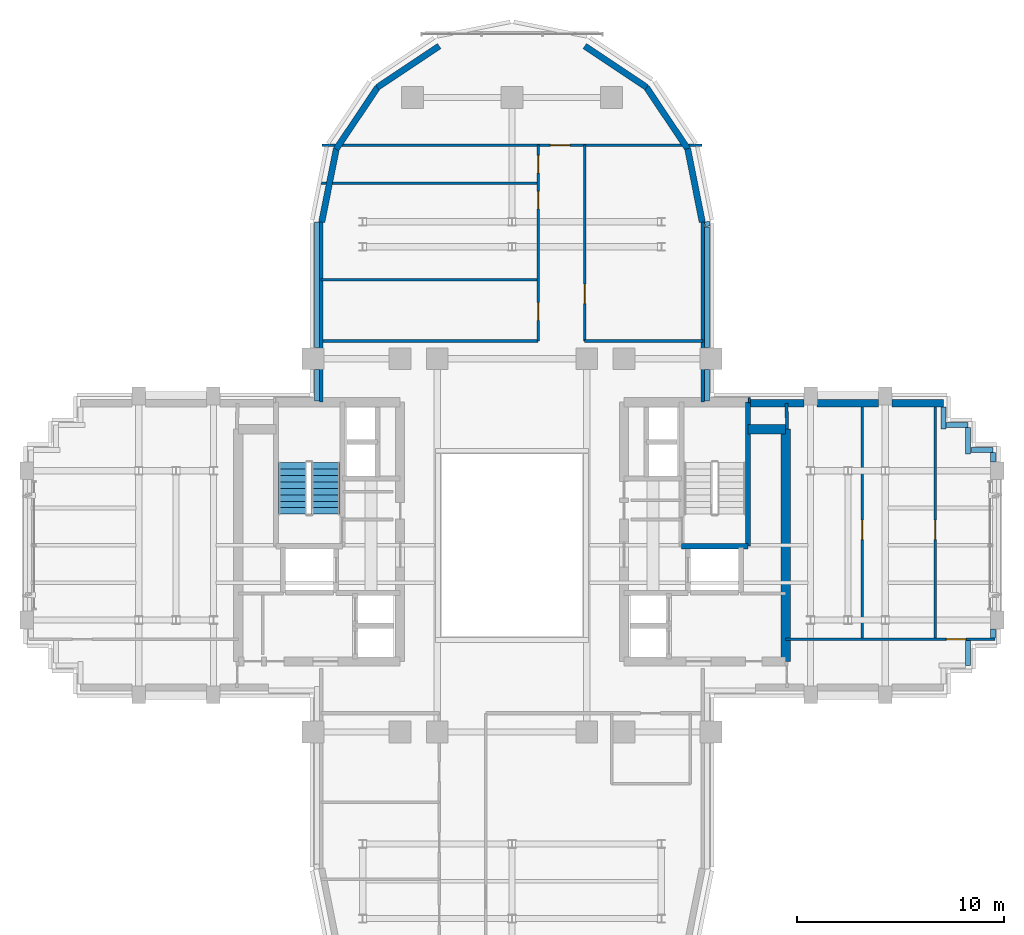
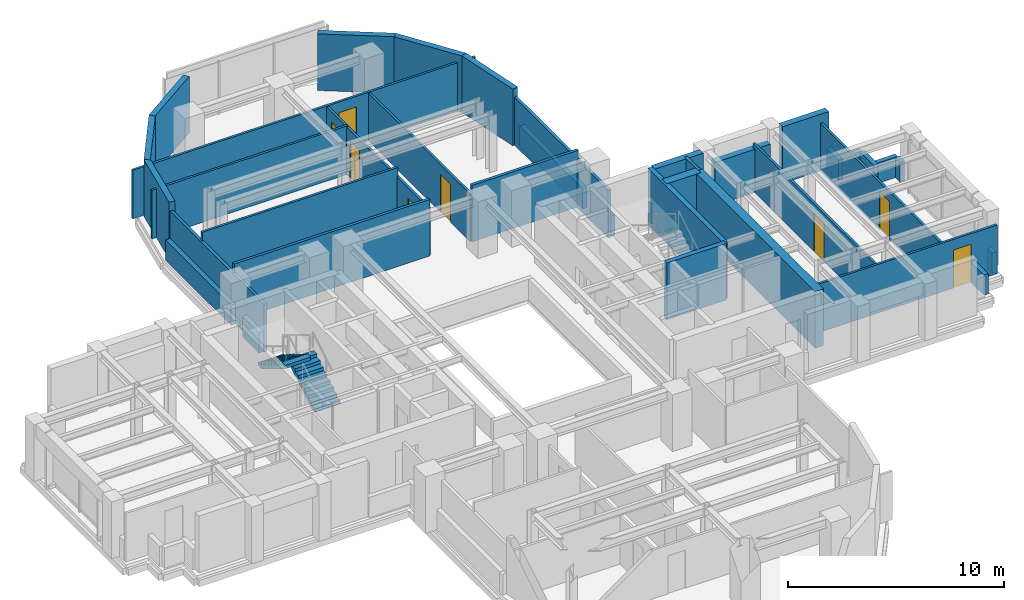
# One storey, part 10 of 14: 39 walls, 8 doors, 2 stair flights, 8 openings, 1 element without a shape of its own.
"""IFC4 building model written with IfcOpenShell, lengths in metres."""

from ifc_helpers import new_model, si_unit, direction, frame, frame_2d, origin, place, context, subcontext, project, spatial, polyline, rectangle, outline, extrude, source, transform, mapped, material, layer, layer_set, type_object, element, fill, aggregate, save


model = new_model("IFC4")

# Units and contexts
model_context = context("Model", 3, precision=1e-05, world=origin(), true_north=direction((0.0, 1.0)))
body_context = subcontext(model_context, "Body", "Model", "MODEL_VIEW")
ifc_project = project(units=[si_unit("LENGTHUNIT", "METRE"), si_unit("AREAUNIT", "SQUARE_METRE"), si_unit("VOLUMEUNIT", "CUBIC_METRE"), si_unit("PLANEANGLEUNIT", "RADIAN"), si_unit("MASSUNIT", "GRAM", prefix="KILO")], contexts=[model_context])

# Site, building, storey
site_placement = place(None, origin())
site = spatial("IfcSite", under=ifc_project, at=site_placement, CompositionType="ELEMENT")
building_placement = place(site_placement, origin())
building = spatial("IfcBuilding", under=site, at=building_placement, Name="Keilestroom Media Tower", CompositionType="ELEMENT")
storey_placement = place(building_placement, frame((0.0, 0.0, 127.800048828125)))
storey = spatial("IfcBuildingStorey", under=building, at=storey_placement, Name="L34", CompositionType="ELEMENT", Elevation=127.800048828125)

# Walls
ifc_material_1 = material(Name="Precast concrete C40/50", Category="concrete")
ifc_layer_1 = layer(ifc_material_1, 0.300048828125)
ifc_layer_set_1 = layer_set([ifc_layer_1], Name="Precast concrete C40/50")
wall_type_1 = type_object("IfcWallType", Name="Exterior-Masonry-Spandrel-Wall-300", PredefinedType="SOLIDWALL", material=ifc_layer_set_1)
for number, where, z_axis, x_axis, name in (
    (1, (9.1748046875, 15.585205078125, 0.0), (0.0, 0.0, 1.0), (-0.195114232679, 0.980780523974, 0.0), "L34 Lobe Facet Precast Frame Wall 01"),
    (2, (8.48193359375, 19.097412109375, 0.0), (0.0, 0.0, 1.0), (-0.555574187116, 0.831466970246, 0.0), "L34 Lobe Facet Precast Frame Wall 02"),
):
    element("IfcWall", number, at=place(storey_placement, frame(where, z_axis=z_axis, x_axis=x_axis)), inside=storey, type_object=wall_type_1, Name=name, PredefinedType="SOLIDWALL", context=body_context, shape_type="SweptSolid", body=[
        extrude(rectangle(XDim=3.608642578125, YDim=0.300048828125, at=frame_2d((1.80419921875, 0.0))), origin(), (0.0, 0.0, 1.0), 3.199951171875),
    ])
for number, where, z_axis, x_axis, name in (
    (3, (6.497802734375, 22.0771484375, 0.0), (0.0, 0.0, 1.0), (-0.8314749531, 0.555562239868, 0.0), "L34 Lobe Facet Precast Frame Wall 03"),
    (4, (-3.510009765625, 24.073486328125, 0.0), (0.0, 0.0, 1.0), (-0.8314749531, -0.555562239868, 0.0), "L34 Lobe Facet Precast Frame Wall 04"),
):
    element("IfcWall", number, at=place(storey_placement, frame(where, z_axis=z_axis, x_axis=x_axis)), inside=storey, type_object=wall_type_1, Name=name, PredefinedType="SOLIDWALL", context=body_context, shape_type="SweptSolid", body=[
        extrude(rectangle(XDim=3.59326171875, YDim=0.300048828125, at=frame_2d((1.796630859375, 0.0))), origin(), (0.0, 0.0, 1.0), 3.199951171875),
    ])
for number, where, z_axis, x_axis, name in (
    (5, (-6.47705078125, 22.097900390625, 0.0), (0.0, 0.0, 1.0), (-0.555574187116, -0.831466970246, 0.0), "L34 Lobe Facet Precast Frame Wall 05"),
    (6, (-8.470703125, 19.12451171875, 0.0), (0.0, 0.0, 1.0), (-0.195114232679, -0.980780523974, 0.0), "L34 Lobe Facet Precast Frame Wall 06"),
):
    element("IfcWall", number, at=place(storey_placement, frame(where, z_axis=z_axis, x_axis=x_axis)), inside=storey, type_object=wall_type_1, Name=name, PredefinedType="SOLIDWALL", context=body_context, shape_type="SweptSolid", body=[
        extrude(rectangle(XDim=3.608642578125, YDim=0.300048828125, at=frame_2d((1.80419921875, 0.0))), origin(), (0.0, 0.0, 1.0), 3.199951171875),
    ])
ifc_layer_2 = layer(ifc_material_1, 0.340087890625)
ifc_layer_set_2 = layer_set([ifc_layer_2], Name="Precast concrete C40/50")
wall_type_2 = type_object("IfcWallType", Name="Exterior-Masonry-Spandrel-Wall-340", PredefinedType="SOLIDWALL", material=ifc_layer_set_2)
wall_1_placement = place(storey_placement, frame((11.498046875, 6.85009765625, 0.0), z_axis=(0.0, 0.0, 1.0), x_axis=(1.0, 0.0, 0.0)))
element("IfcWall", 7, at=wall_1_placement, inside=storey, type_object=wall_type_2, Name="L34 Flank Masonry Wall EWL-L34-NE-1", PredefinedType="SOLIDWALL", context=body_context, shape_type="SweptSolid", body=[
    extrude(rectangle(XDim=2.5849609375, YDim=0.340087890625, at=frame_2d((1.29248046875, 0.0))), origin(), (0.0, 0.0, 1.0), 3.199951171875),
])
wall_2_placement = place(storey_placement, frame((14.717041015625, 6.85009765625, 0.0), z_axis=(0.0, 0.0, 1.0), x_axis=(1.0, 0.0, 0.0)))
element("IfcWall", 8, at=wall_2_placement, inside=storey, type_object=wall_type_2, Name="L34 Flank Masonry Wall EWL-L34-NE-2", PredefinedType="SOLIDWALL", context=body_context, shape_type="SweptSolid", body=[
    extrude(rectangle(XDim=2.966064453125, YDim=0.340087890625, at=frame_2d((1.48291015625, 0.0))), origin(), (0.0, 0.0, 1.0), 2.449951171875),
])
wall_3_placement = place(storey_placement, frame((18.31689453125, 6.85009765625, 0.0), z_axis=(0.0, 0.0, 1.0), x_axis=(1.0, 0.0, 0.0)))
element("IfcWall", 9, at=wall_3_placement, inside=storey, type_object=wall_type_2, Name="L34 Flank Masonry Wall EWL-L34-NE-3", PredefinedType="SOLIDWALL", context=body_context, shape_type="SweptSolid", body=[
    extrude(rectangle(XDim=2.483154296875, YDim=0.340087890625, at=frame_2d((1.24169921875, 0.0))), origin(), (0.0, 0.0, 1.0), 3.199951171875),
])

# Wall, openings, doors
ifc_material_2 = material(Name="Gypsum Plasterboard & Steel Stud", Category="steel")
ifc_layer_3 = layer(ifc_material_2, 0.1201171875)
ifc_layer_set_3 = layer_set([ifc_layer_3], Name="Gypsum Plasterboard & Steel Stud")
wall_type_3 = type_object("IfcWallType", Name="Interior-Partition-Wall-120", PredefinedType="PARTITIONING", material=ifc_layer_set_3)
wall_4_placement = place(storey_placement, frame((1.260009765625, 9.85009765625, 0.0), z_axis=(0.0, 0.0, 1.0), x_axis=(0.0, 1.0, 0.0)))
wall_4 = element("IfcWall", 10, at=wall_4_placement, inside=storey, type_object=wall_type_3, Name="L34 Interior Wall WP-L34-NL-SPW", PredefinedType="PARTITIONING", context=body_context, shape_type="SweptSolid", body=[
    extrude(rectangle(XDim=9.449951171875, YDim=0.1201171875, at=frame_2d((4.72509765625, 0.0))), origin(), (0.0, 0.0, 1.0), 2.699951171875),
])
opening_1_placement = place(wall_4_placement, frame((1.0, 0.0, 0.0)))
opening_1 = element("IfcOpeningElement", 11, at=opening_1_placement, cuts=wall_4, Name="Opening DI-05", PredefinedType="OPENING", context=body_context, shape_type="SweptSolid", body=[
    extrude(rectangle(XDim=0.85009765625, YDim=2.10009765625, at=frame_2d((0.425048828125, 1.050048828125))), frame((0.0, 0.070068359375, 0.0), z_axis=(0.0, -1.0, 0.0), x_axis=(1.0, 0.0, 0.0)), (0.0, 0.0, 1.0), 0.14013671875),
])
opening_2_placement = place(wall_4_placement, frame((6.3701171875, 0.0, 0.0)))
opening_2 = element("IfcOpeningElement", 12, at=opening_2_placement, cuts=wall_4, Name="Opening DI-05", PredefinedType="OPENING", context=body_context, shape_type="SweptSolid", body=[
    extrude(rectangle(XDim=0.85009765625, YDim=2.10009765625, at=frame_2d((0.425048828125, 1.050048828125))), frame((0.0, 0.070068359375, 0.0), z_axis=(0.0, -1.0, 0.0), x_axis=(1.0, 0.0, 0.0)), (0.0, 0.0, 1.0), 0.14013671875),
])
opening_3_placement = place(wall_4_placement, frame((8.10009765625, 0.0, 0.0)))
opening_3 = element("IfcOpeningElement", 13, at=opening_3_placement, cuts=wall_4, Name="Opening DI-05", PredefinedType="OPENING", context=body_context, shape_type="SweptSolid", body=[
    extrude(rectangle(XDim=0.85009765625, YDim=2.10009765625, at=frame_2d((0.425048828125, 1.050048828125))), frame((0.0, 0.070068359375, 0.0), z_axis=(0.0, -1.0, 0.0), x_axis=(1.0, 0.0, 0.0)), (0.0, 0.0, 1.0), 0.14013671875),
])
ifc_material_3 = material(Name="Moisture-Resistant Oak Leaf", Category="wood")
door_type_1 = type_object("IfcDoorType", Name="Interior-En-Suite-And-Cupboard-Door-DI-05", OperationType="NOTDEFINED", PredefinedType="DOOR", material=ifc_material_3)
shared_shape_1 = source(origin(), body_context, "Body", "SweptSolid", [
    extrude(rectangle(XDim=0.85009765625, YDim=2.10009765625, at=frame_2d((0.425048828125, 1.050048828125))), frame((0.0, 0.02490234375, 0.0), z_axis=(0.0, -1.0, 0.0), x_axis=(1.0, 0.0, 0.0)), (0.0, 0.0, 1.0), 0.050048828125),
])
door_1_placement = place(opening_1_placement, origin())
door_1 = element("IfcDoor", 14, at=door_1_placement, inside=storey, type_object=door_type_1, Name="L34 Interior Door DI-L34-DNL-W1", OperationType="SINGLE_SWING_LEFT", OverallHeight=2.10009765625, OverallWidth=0.85009765625, PredefinedType="DOOR", context=body_context, shape_type="MappedRepresentation", body=[
    mapped(shared_shape_1, transform((0.0, 0.0, 0.0), x_axis=(1.0, 0.0, 0.0), y_axis=(0.0, 1.0, 0.0), z_axis=(0.0, 0.0, 1.0), scale=1.0)),
])
fill(opening_1, door_1)
door_2_placement = place(opening_2_placement, origin())
door_2 = element("IfcDoor", 15, at=door_2_placement, inside=storey, type_object=door_type_1, Name="L34 Interior Door DI-L34-DNL-W2", OperationType="SINGLE_SWING_RIGHT", OverallHeight=2.10009765625, OverallWidth=0.85009765625, PredefinedType="DOOR", context=body_context, shape_type="MappedRepresentation", body=[
    mapped(shared_shape_1, transform((0.0, 0.0, 0.0), x_axis=(1.0, 0.0, 0.0), y_axis=(0.0, 1.0, 0.0), z_axis=(0.0, 0.0, 1.0), scale=1.0)),
])
fill(opening_2, door_2)
door_3_placement = place(opening_3_placement, origin())
door_3 = element("IfcDoor", 16, at=door_3_placement, inside=storey, type_object=door_type_1, Name="L34 Interior Door DI-L34-DNL-W3", OperationType="SINGLE_SWING_LEFT", OverallHeight=2.10009765625, OverallWidth=0.85009765625, PredefinedType="DOOR", context=body_context, shape_type="MappedRepresentation", body=[
    mapped(shared_shape_1, transform((0.0, 0.0, 0.0), x_axis=(1.0, 0.0, 0.0), y_axis=(0.0, 1.0, 0.0), z_axis=(0.0, 0.0, 1.0), scale=1.0)),
])
fill(opening_3, door_3)

# Wall, opening, door
wall_5_placement = place(storey_placement, frame((3.5, 9.85009765625, 0.0), z_axis=(0.0, 0.0, 1.0), x_axis=(0.0, 1.0, 0.0)))
wall_5 = element("IfcWall", 17, at=wall_5_placement, inside=storey, type_object=wall_type_3, Name="L34 Interior Wall WP-L34-NL-SPE", PredefinedType="PARTITIONING", context=body_context, shape_type="SweptSolid", body=[
    extrude(rectangle(XDim=9.449951171875, YDim=0.1201171875, at=frame_2d((4.72509765625, 0.0))), origin(), (0.0, 0.0, 1.0), 2.699951171875),
])
opening_4_placement = place(wall_5_placement, frame((1.800048828125, 0.0, 0.0)))
opening_4 = element("IfcOpeningElement", 18, at=opening_4_placement, cuts=wall_5, Name="Opening DI-03", PredefinedType="OPENING", context=body_context, shape_type="SweptSolid", body=[
    extrude(rectangle(XDim=0.949951171875, YDim=2.14990234375, at=frame_2d((0.47509765625, 1.074951171875))), frame((0.0, 0.070068359375, 0.0), z_axis=(0.0, -1.0, 0.0), x_axis=(1.0, 0.0, 0.0)), (0.0, 0.0, 1.0), 0.14013671875),
])
ifc_material_4 = material(Name="Lacquered European Oak Leaf", Category="wood")
door_type_2 = type_object("IfcDoorType", Name="Interior-Room-And-Suite-Door-DI-03", OperationType="NOTDEFINED", PredefinedType="DOOR", material=ifc_material_4)
shared_shape_2 = source(origin(), body_context, "Body", "SweptSolid", [
    extrude(rectangle(XDim=0.949951171875, YDim=2.14990234375, at=frame_2d((0.47509765625, 1.074951171875))), frame((0.0, 0.02490234375, 0.0), z_axis=(0.0, -1.0, 0.0), x_axis=(1.0, 0.0, 0.0)), (0.0, 0.0, 1.0), 0.050048828125),
])
door_4_placement = place(opening_4_placement, origin())
door_4 = element("IfcDoor", 19, at=door_4_placement, inside=storey, type_object=door_type_2, Name="L34 Interior Door DI-L34-DNL-E1", OperationType="SINGLE_SWING_RIGHT", OverallHeight=2.14990234375, OverallWidth=0.949951171875, PredefinedType="DOOR", context=body_context, shape_type="MappedRepresentation", body=[
    mapped(shared_shape_2, transform((0.0, 0.0, 0.0), x_axis=(1.0, 0.0, 0.0), y_axis=(0.0, 1.0, 0.0), z_axis=(0.0, 0.0, 1.0), scale=1.0)),
])
fill(opening_4, door_4)

wall_6_placement = place(storey_placement, frame((-9.159912109375, 19.300048828125, 0.0), z_axis=(0.0, 0.0, 1.0), x_axis=(1.0, 0.0, 0.0)))
wall_6 = element("IfcWall", 20, at=wall_6_placement, inside=storey, type_object=wall_type_3, Name="L34 Interior Wall WP-L34-NL-NTIPW", PredefinedType="PARTITIONING", context=body_context, shape_type="SweptSolid", body=[
    extrude(rectangle(XDim=18.31982421875, YDim=0.1201171875, at=frame_2d((9.159912109375, 0.0))), origin(), (0.0, 0.0, 1.0), 2.75),
])
opening_5_placement = place(wall_6_placement, frame((11.010009765625, 0.0, 0.0)))
opening_5 = element("IfcOpeningElement", 21, at=opening_5_placement, cuts=wall_6, Name="Opening DI-03", PredefinedType="OPENING", context=body_context, shape_type="SweptSolid", body=[
    extrude(rectangle(XDim=0.949951171875, YDim=2.14990234375, at=frame_2d((0.47509765625, 1.074951171875))), frame((0.0, 0.070068359375, 0.0), z_axis=(0.0, -1.0, 0.0), x_axis=(1.0, 0.0, 0.0)), (0.0, 0.0, 1.0), 0.14013671875),
])
door_5_placement = place(opening_5_placement, origin())
door_5 = element("IfcDoor", 22, at=door_5_placement, inside=storey, type_object=door_type_2, Name="L34 Interior Door DI-L34-DNL-TIP", OperationType="SINGLE_SWING_RIGHT", OverallHeight=2.14990234375, OverallWidth=0.949951171875, PredefinedType="DOOR", context=body_context, shape_type="MappedRepresentation", body=[
    mapped(shared_shape_2, transform((0.0, 0.0, 0.0), x_axis=(1.0, 0.0, 0.0), y_axis=(0.0, 1.0, 0.0), z_axis=(0.0, 0.0, 1.0), scale=1.0)),
])
fill(opening_5, door_5)

# Walls
wall_7_placement = place(storey_placement, frame((-9.199951171875, 12.800048828125, 0.0), z_axis=(0.0, 0.0, 1.0), x_axis=(1.0, 0.0, 0.0)))
element("IfcWall", 23, at=wall_7_placement, inside=storey, type_object=wall_type_3, Name="L34 Interior Wall WP-L34-NL-HW1", PredefinedType="PARTITIONING", context=body_context, shape_type="SweptSolid", body=[
    extrude(rectangle(XDim=10.4599609375, YDim=0.1201171875, at=frame_2d((5.22998046875, 0.0))), origin(), (0.0, 0.0, 1.0), 3.199951171875),
])
wall_8_placement = place(storey_placement, frame((-9.199951171875, 17.449951171875, 0.0), z_axis=(0.0, 0.0, 1.0), x_axis=(1.0, 0.0, 0.0)))
element("IfcWall", 24, at=wall_8_placement, inside=storey, type_object=wall_type_3, Name="L34 Interior Wall WP-L34-NL-HW2", PredefinedType="PARTITIONING", context=body_context, shape_type="SweptSolid", body=[
    extrude(rectangle(XDim=10.4599609375, YDim=0.1201171875, at=frame_2d((5.22998046875, 0.0))), origin(), (0.0, 0.0, 1.0), 2.75),
])

# Wall, opening, door
wall_9_placement = place(storey_placement, frame((13.199951171875, -4.530029296875, 0.0), z_axis=(0.0, 0.0, 1.0), x_axis=(1.0, 0.0, 0.0)))
wall_9 = element("IfcWall", 25, at=wall_9_placement, inside=storey, type_object=wall_type_3, Name="L34 Interior Wall WP-L34-EA-CN", PredefinedType="PARTITIONING", context=body_context, shape_type="SweptSolid", body=[
    extrude(rectangle(XDim=10.10009765625, YDim=0.1201171875, at=frame_2d((5.050048828125, 0.0))), origin(), (0.0, 0.0, 1.0), 2.75),
])
opening_6_placement = place(wall_9_placement, frame((7.75, 0.0, 0.0)))
opening_6 = element("IfcOpeningElement", 26, at=opening_6_placement, cuts=wall_9, Name="Opening DI-03", PredefinedType="OPENING", context=body_context, shape_type="SweptSolid", body=[
    extrude(rectangle(XDim=0.949951171875, YDim=2.14990234375, at=frame_2d((0.47509765625, 1.074951171875))), frame((0.0, 0.070068359375, 0.0), z_axis=(0.0, -1.0, 0.0), x_axis=(1.0, 0.0, 0.0)), (0.0, 0.0, 1.0), 0.14013671875),
])
door_6_placement = place(opening_6_placement, origin())
door_6 = element("IfcDoor", 27, at=door_6_placement, inside=storey, type_object=door_type_2, Name="L34 Interior Door DI-L34-DEA-RN3", OperationType="SINGLE_SWING_RIGHT", OverallHeight=2.14990234375, OverallWidth=0.949951171875, PredefinedType="DOOR", context=body_context, shape_type="MappedRepresentation", body=[
    mapped(shared_shape_2, transform((0.0, 0.0, 0.0), x_axis=(1.0, 0.0, 0.0), y_axis=(0.0, 1.0, 0.0), z_axis=(0.0, 0.0, 1.0), scale=1.0)),
])
fill(opening_6, door_6)

wall_10_placement = place(storey_placement, frame((16.89990234375, -4.530029296875, 0.0), z_axis=(0.0, 0.0, 1.0), x_axis=(0.0, 1.0, 0.0)))
wall_10 = element("IfcWall", 28, at=wall_10_placement, inside=storey, type_object=wall_type_3, Name="L34 Interior Wall WP-L34-EA-VM1", PredefinedType="PARTITIONING", context=body_context, shape_type="SweptSolid", body=[
    extrude(rectangle(XDim=11.380126953125, YDim=0.1201171875, at=frame_2d((5.68994140625, 0.0))), origin(), (0.0, 0.0, 1.0), 2.699951171875),
])
opening_7_placement = place(wall_10_placement, frame((4.800048828125, 0.0, 0.0)))
opening_7 = element("IfcOpeningElement", 29, at=opening_7_placement, cuts=wall_10, Name="Opening DI-03", PredefinedType="OPENING", context=body_context, shape_type="SweptSolid", body=[
    extrude(rectangle(XDim=0.949951171875, YDim=2.14990234375, at=frame_2d((0.47509765625, 1.074951171875))), frame((0.0, 0.070068359375, 0.0), z_axis=(0.0, -1.0, 0.0), x_axis=(1.0, 0.0, 0.0)), (0.0, 0.0, 1.0), 0.14013671875),
])
door_7_placement = place(opening_7_placement, origin())
door_7 = element("IfcDoor", 30, at=door_7_placement, inside=storey, type_object=door_type_2, Name="L34 Interior Door DI-L34-DEA-RN1", OperationType="SINGLE_SWING_RIGHT", OverallHeight=2.14990234375, OverallWidth=0.949951171875, PredefinedType="DOOR", context=body_context, shape_type="MappedRepresentation", body=[
    mapped(shared_shape_2, transform((0.0, 0.0, 0.0), x_axis=(1.0, 0.0, 0.0), y_axis=(0.0, 1.0, 0.0), z_axis=(0.0, 0.0, 1.0), scale=1.0)),
])
fill(opening_7, door_7)

wall_11_placement = place(storey_placement, frame((20.39990234375, -4.530029296875, 0.0), z_axis=(0.0, 0.0, 1.0), x_axis=(0.0, 1.0, 0.0)))
wall_11 = element("IfcWall", 31, at=wall_11_placement, inside=storey, type_object=wall_type_3, Name="L34 Interior Wall WP-L34-EA-VM2", PredefinedType="PARTITIONING", context=body_context, shape_type="SweptSolid", body=[
    extrude(rectangle(XDim=11.380126953125, YDim=0.1201171875, at=frame_2d((5.68994140625, 0.0))), origin(), (0.0, 0.0, 1.0), 2.699951171875),
])
opening_8_placement = place(wall_11_placement, frame((4.800048828125, 0.0, 0.0)))
opening_8 = element("IfcOpeningElement", 32, at=opening_8_placement, cuts=wall_11, Name="Opening DI-03", PredefinedType="OPENING", context=body_context, shape_type="SweptSolid", body=[
    extrude(rectangle(XDim=0.949951171875, YDim=2.14990234375, at=frame_2d((0.47509765625, 1.074951171875))), frame((0.0, 0.070068359375, 0.0), z_axis=(0.0, -1.0, 0.0), x_axis=(1.0, 0.0, 0.0)), (0.0, 0.0, 1.0), 0.14013671875),
])
door_8_placement = place(opening_8_placement, origin())
door_8 = element("IfcDoor", 33, at=door_8_placement, inside=storey, type_object=door_type_2, Name="L34 Interior Door DI-L34-DEA-RN2", OperationType="SINGLE_SWING_LEFT", OverallHeight=2.14990234375, OverallWidth=0.949951171875, PredefinedType="DOOR", context=body_context, shape_type="MappedRepresentation", body=[
    mapped(shared_shape_2, transform((0.0, 0.0, 0.0), x_axis=(1.0, 0.0, 0.0), y_axis=(0.0, 1.0, 0.0), z_axis=(0.0, 0.0, 1.0), scale=1.0)),
])
fill(opening_8, door_8)

# Walls
ifc_layer_4 = layer(ifc_material_2, 0.14990234375)
ifc_layer_set_4 = layer_set([ifc_layer_4], Name="Gypsum Plasterboard & Steel Stud")
wall_type_4 = type_object("IfcWallType", Name="Interior-Partition-Wall-150", PredefinedType="PARTITIONING", material=ifc_layer_set_4)
for number, where, z_axis, x_axis, name in (
    (34, (-9.199951171875, 6.89990234375, 0.0), (0.0, 0.0, 1.0), (0.0, 1.0, 0.0), "L34 Interior Wall WP-L34-NL-CHKW"),
    (35, (9.199951171875, 6.89990234375, 0.0), (0.0, 0.0, 1.0), (0.0, 1.0, 0.0), "L34 Interior Wall WP-L34-NL-CHKE"),
):
    element("IfcWall", number, at=place(storey_placement, frame(where, z_axis=z_axis, x_axis=x_axis)), inside=storey, type_object=wall_type_4, Name=name, PredefinedType="PARTITIONING", context=body_context, shape_type="SweptSolid", body=[
        extrude(rectangle(XDim=8.780029296875, YDim=0.14990234375, at=frame_2d((4.39013671875, 0.0))), origin(), (0.0, 0.0, 1.0), 2.699951171875),
    ])
wall_12_placement = place(storey_placement, frame((-9.199951171875, 9.85009765625, 0.0), z_axis=(0.0, 0.0, 1.0), x_axis=(1.0, 0.0, 0.0)))
element("IfcWall", 36, at=wall_12_placement, inside=storey, type_object=wall_type_4, Name="L34 Interior Wall WP-L34-NL-BASE-W", PredefinedType="PARTITIONING", context=body_context, shape_type="SweptSolid", body=[
    extrude(rectangle(XDim=10.4599609375, YDim=0.14990234375, at=frame_2d((5.22998046875, 0.0))), origin(), (0.0, 0.0, 1.0), 3.199951171875),
])
wall_13_placement = place(storey_placement, frame((3.5, 9.85009765625, 0.0), z_axis=(0.0, 0.0, 1.0), x_axis=(1.0, 0.0, 0.0)))
element("IfcWall", 37, at=wall_13_placement, inside=storey, type_object=wall_type_4, Name="L34 Interior Wall WP-L34-NL-BASE-E", PredefinedType="PARTITIONING", context=body_context, shape_type="SweptSolid", body=[
    extrude(rectangle(XDim=5.699951171875, YDim=0.14990234375, at=frame_2d((2.85009765625, 0.0))), origin(), (0.0, 0.0, 1.0), 3.199951171875),
])
wall_14_placement = place(storey_placement, frame((13.260009765625, 5.60009765625, 0.0), z_axis=(0.0, 0.0, 1.0), x_axis=(-0.016013571389, 0.999871774545, 0.0)))
element("IfcWall", 38, at=wall_14_placement, inside=storey, type_object=wall_type_4, Name="L34 Interior Wall WP-L34-EA-ENTN", PredefinedType="PARTITIONING", context=body_context, shape_type="SweptSolid", body=[
    extrude(rectangle(XDim=1.250244140625, YDim=0.14990234375, at=frame_2d((0.625, 0.0))), origin(), (0.0, 0.0, 1.0), 3.199951171875),
])
ifc_material_5 = material(Name="Concrete C55/67", Category="concrete")
ifc_layer_5 = layer(ifc_material_5, 0.449951171875)
ifc_layer_set_5 = layer_set([ifc_layer_5], Name="Concrete C55/67")
wall_type_5 = type_object("IfcWallType", Name="Reinforced-Concrete-Core-Shear-Wall-450", PredefinedType="SHEAR", material=ifc_layer_set_5)
wall_15_placement = place(storey_placement, frame((13.199951171875, -5.60009765625, 0.0), z_axis=(0.0, 0.0, 1.0), x_axis=(0.0, 1.0, 0.0)))
element("IfcWall", 39, at=wall_15_placement, inside=storey, type_object=wall_type_5, Name="L34 Core Shear Wall WL-L34-CORE-E-OUT", PredefinedType="SHEAR", context=body_context, shape_type="SweptSolid", body=[
    extrude(rectangle(XDim=11.2001953125, YDim=0.449951171875, at=frame_2d((5.60009765625, 0.0))), origin(), (0.0, 0.0, 1.0), 3.199951171875),
])
wall_16_placement = place(storey_placement, frame((11.381103515625, 5.60009765625, 0.0), z_axis=(0.0, 0.0, 1.0), x_axis=(1.0, 0.0, 0.0)))
element("IfcWall", 40, at=wall_16_placement, inside=storey, type_object=wall_type_5, Name="L34 Core Shear Wall WL-L34-CNE-N", PredefinedType="SHEAR", context=body_context, shape_type="SweptSolid", body=[
    extrude(rectangle(XDim=1.81884765625, YDim=0.449951171875, at=frame_2d((0.909423828125, 0.0))), origin(), (0.0, 0.0, 1.0), 3.199951171875),
])
ifc_material_6 = material(Name="Concrete C50/60", Category="concrete")
ifc_layer_6 = layer(ifc_material_6, 0.25)
ifc_layer_set_6 = layer_set([ifc_layer_6], Name="Concrete C50/60")
wall_type_6 = type_object("IfcWallType", Name="Reinforced-Concrete-Shaft-Wall-250", PredefinedType="SOLIDWALL", material=ifc_layer_set_6)
wall_17_placement = place(storey_placement, frame((11.381103515625, -0.041015625, 0.0), z_axis=(0.0, 0.0, 1.0), x_axis=(0.0, 1.0, 0.0)))
element("IfcWall", 41, at=wall_17_placement, inside=storey, type_object=wall_type_6, Name="L34 Core Shear Wall WL-L34-STW-E-FAR", PredefinedType="SOLIDWALL", context=body_context, shape_type="SweptSolid", body=[
    extrude(rectangle(XDim=6.94091796875, YDim=0.25, at=frame_2d((3.470458984375, 0.0))), origin(), (0.0, 0.0, 1.0), 3.199951171875),
])
wall_18_placement = place(storey_placement, frame((8.178955078125, -0.041015625, 0.0), z_axis=(0.0, 0.0, 1.0), x_axis=(1.0, 0.0, 0.0)))
element("IfcWall", 42, at=wall_18_placement, inside=storey, type_object=wall_type_6, Name="L34 Core Shear Wall WL-L34-STW-E-S", PredefinedType="SOLIDWALL", context=body_context, shape_type="SweptSolid", body=[
    extrude(rectangle(XDim=3.2021484375, YDim=0.25, at=frame_2d((1.60107421875, 0.0))), origin(), (0.0, 0.0, 1.0), 3.199951171875),
])
ifc_layer_7 = layer(ifc_material_1, 0.239990234375)
ifc_layer_set_7 = layer_set([ifc_layer_7], Name="Precast concrete C40/50")
wall_type_7 = type_object("IfcWallType", Name="Roof-And-Terrace-Parapet-Wall-240", PredefinedType="PARAPET", material=ifc_layer_set_7)
wall_19_placement = place(storey_placement, frame((22.0, -4.593017578125, 0.0), z_axis=(0.0, 0.0, 1.0), x_axis=(0.0, -1.0, 0.0)))
element("IfcWall", 43, at=wall_19_placement, inside=storey, type_object=wall_type_7, Name="L34 Perimeter Edge Parapet Wall 01", PredefinedType="PARAPET", context=body_context, shape_type="SweptSolid", body=[
    extrude(rectangle(XDim=1.20703125, YDim=0.239990234375, at=frame_2d((0.603515625, 0.0))), origin(), (0.0, 0.0, 1.0), 1.14990234375),
])
wall_20_placement = place(storey_placement, frame((-9.39990234375, 6.952880859375, 0.0), z_axis=(0.0, 0.0, 1.0), x_axis=(0.0, 1.0, 0.0)))
element("IfcWall", 44, at=wall_20_placement, inside=storey, type_object=wall_type_7, Name="L34 Perimeter Edge Parapet Wall 21", PredefinedType="PARAPET", context=body_context, shape_type="SweptSolid", body=[
    extrude(rectangle(XDim=1.51904296875, YDim=0.239990234375, at=frame_2d((0.759521484375, 0.0))), origin(), (0.0, 0.0, 1.0), 1.14990234375),
])
wall_21_placement = place(storey_placement, frame((-9.39990234375, 9.528076171875, 0.0), z_axis=(0.0, 0.0, 1.0), x_axis=(0.0, 1.0, 0.0)))
element("IfcWall", 45, at=wall_21_placement, inside=storey, type_object=wall_type_7, Name="L34 Perimeter Edge Parapet Wall 22", PredefinedType="PARAPET", context=body_context, shape_type="SweptSolid", body=[
    extrude(rectangle(XDim=6.07470703125, YDim=0.239990234375, at=frame_2d((3.037353515625, 0.0))), origin(), (0.0, 0.0, 1.0), 1.14990234375),
])
wall_22_placement = place(storey_placement, frame((9.395263671875, 15.604248046875, 0.0), z_axis=(0.0, 0.0, 1.0), x_axis=(0.194652052864, -0.980872355771, 0.0)))
element("IfcWall", 46, at=wall_22_placement, inside=storey, type_object=wall_type_7, Name="L34 Perimeter Edge Parapet Wall 23", PredefinedType="PARAPET", context=body_context, shape_type="SweptSolid", body=[
    extrude(rectangle(XDim=0.224609375, YDim=0.239990234375, at=frame_2d((0.1123046875, 0.0))), origin(), (0.0, 0.0, 1.0), 1.14990234375),
])
wall_23_placement = place(storey_placement, frame((9.39990234375, 15.357666015625, 0.0), z_axis=(0.0, 0.0, 1.0), x_axis=(0.0, -1.0, 0.0)))
element("IfcWall", 47, at=wall_23_placement, inside=storey, type_object=wall_type_7, Name="L34 Perimeter Edge Parapet Wall 24", PredefinedType="PARAPET", context=body_context, shape_type="SweptSolid", body=[
    extrude(rectangle(XDim=5.82958984375, YDim=0.239990234375, at=frame_2d((2.914794921875, 0.0))), origin(), (0.0, 0.0, 1.0), 1.14990234375),
])
wall_24_placement = place(storey_placement, frame((9.39990234375, 8.471923828125, 0.0), z_axis=(0.0, 0.0, 1.0), x_axis=(0.0, -1.0, 0.0)))
element("IfcWall", 48, at=wall_24_placement, inside=storey, type_object=wall_type_7, Name="L34 Perimeter Edge Parapet Wall 25", PredefinedType="PARAPET", context=body_context, shape_type="SweptSolid", body=[
    extrude(rectangle(XDim=1.51904296875, YDim=0.239990234375, at=frame_2d((0.759521484375, 0.0))), origin(), (0.0, 0.0, 1.0), 1.14990234375),
])
wall_25_placement = place(storey_placement, frame((11.403076171875, 7.0, 0.0), z_axis=(0.0, 0.0, 1.0), x_axis=(1.0, 0.0, 0.0)))
element("IfcWall", 49, at=wall_25_placement, inside=storey, type_object=wall_type_7, Name="L34 Perimeter Edge Parapet Wall 26", PredefinedType="PARAPET", context=body_context, shape_type="SweptSolid", body=[
    extrude(rectangle(XDim=0.092041015625, YDim=0.239990234375, at=frame_2d((0.0458984375, 0.0))), origin(), (0.0, 0.0, 1.0), 1.14990234375),
])
for number, where, z_axis, x_axis, name in (
    (50, (20.800048828125, 6.677001953125, 0.0), (0.0, 0.0, 1.0), (0.0, -1.0, 0.0), "L34 Perimeter Edge Parapet Wall 27"),
    (51, (20.923095703125, 5.800048828125, 0.0), (0.0, 0.0, 1.0), (1.0, 0.0, 0.0), "L34 Perimeter Edge Parapet Wall 28"),
):
    element("IfcWall", number, at=place(storey_placement, frame(where, z_axis=z_axis, x_axis=x_axis)), inside=storey, type_object=wall_type_7, Name=name, PredefinedType="PARAPET", context=body_context, shape_type="SweptSolid", body=[
        extrude(rectangle(XDim=1.076904296875, YDim=0.239990234375, at=frame_2d((0.53857421875, 0.0))), origin(), (0.0, 0.0, 1.0), 1.14990234375),
    ])
wall_26_placement = place(storey_placement, frame((22.0, 5.677001953125, 0.0), z_axis=(0.0, 0.0, 1.0), x_axis=(0.0, -1.0, 0.0)))
element("IfcWall", 52, at=wall_26_placement, inside=storey, type_object=wall_type_7, Name="L34 Perimeter Edge Parapet Wall 29", PredefinedType="PARAPET", context=body_context, shape_type="SweptSolid", body=[
    extrude(rectangle(XDim=1.277099609375, YDim=0.239990234375, at=frame_2d((0.638671875, 0.0))), origin(), (0.0, 0.0, 1.0), 1.14990234375),
])
wall_27_placement = place(storey_placement, frame((22.123046875, 4.60009765625, 0.0), z_axis=(0.0, 0.0, 1.0), x_axis=(1.0, 0.0, 0.0)))
element("IfcWall", 53, at=wall_27_placement, inside=storey, type_object=wall_type_7, Name="L34 Perimeter Edge Parapet Wall 30", PredefinedType="PARAPET", context=body_context, shape_type="SweptSolid", body=[
    extrude(rectangle(XDim=1.076904296875, YDim=0.239990234375, at=frame_2d((0.53857421875, 0.0))), origin(), (0.0, 0.0, 1.0), 1.14990234375),
])
wall_28_placement = place(storey_placement, frame((23.199951171875, 4.47705078125, 0.0), z_axis=(0.0, 0.0, 1.0), x_axis=(0.0, -1.0, 0.0)))
element("IfcWall", 54, at=wall_28_placement, inside=storey, type_object=wall_type_7, Name="L34 Perimeter Edge Parapet Wall 31", PredefinedType="PARAPET", context=body_context, shape_type="SweptSolid", body=[
    extrude(rectangle(XDim=0.448974609375, YDim=0.239990234375, at=frame_2d((0.224609375, 0.0))), origin(), (0.0, 0.0, 1.0), 1.14990234375),
])
wall_29_placement = place(storey_placement, frame((23.199951171875, -4.028076171875, 0.0), z_axis=(0.0, 0.0, 1.0), x_axis=(0.0, -1.0, 0.0)))
element("IfcWall", 55, at=wall_29_placement, inside=storey, type_object=wall_type_7, Name="L34 Perimeter Edge Parapet Wall 32", PredefinedType="PARAPET", context=body_context, shape_type="SweptSolid", body=[
    extrude(rectangle(XDim=0.43896484375, YDim=0.239990234375, at=frame_2d((0.219482421875, 0.0))), origin(), (0.0, 0.0, 1.0), 1.14990234375),
])

# Stair, stair flights
ifc_material_7 = material(Name="Concrete C45/55", Category="concrete")
stair_type = type_object("IfcStairType", Name="Enclosed-Dog-Leg-Stair-ST-CORE", PredefinedType="HALF_TURN_STAIR", material=ifc_material_7)
stair_placement = place(storey_placement, origin())
stair = element("IfcStair", 56, at=stair_placement, inside=storey, type_object=stair_type, Name="L34 West Core Escape Stair ST-1", PredefinedType="HALF_TURN_STAIR")
stair_flight_type = type_object("IfcStairFlightType", Name="Precast-Concrete-Stair-Flight-Core-160", PredefinedType="STRAIGHT", material=ifc_material_1)
stair_flight_1_placement = place(storey_placement, frame((-8.97998046875, 1.5, 0.0), z_axis=(0.0, 0.0, 1.0), x_axis=(0.0, 1.0, 0.0)))
stair_flight_1 = element("IfcStairFlight", 57, at=stair_flight_1_placement, type_object=stair_flight_type, Name="ST-1 flight 1", NumberOfRisers=9, NumberOfTreads=8, PredefinedType="STRAIGHT", RiserHeight=0.188888889, TreadLength=0.312, context=body_context, shape_type="SweptSolid", body=[
    extrude(outline(polyline([(0.0, 0.0), (0.0, 0.18896484375), (0.31201171875, 0.18896484375), (0.31201171875, 0.377685546875), (0.6240234375, 0.377685546875), (0.6240234375, 0.566650390625), (0.93603515625, 0.566650390625), (0.93603515625, 0.755615234375), (1.248046875, 0.755615234375), (1.248046875, 0.9443359375), (1.56005859375, 0.9443359375), (1.56005859375, 1.13330078125), (1.8720703125, 1.13330078125), (1.8720703125, 1.322265625), (2.18408203125, 1.322265625), (2.18408203125, 1.51123046875), (2.49609375, 1.51123046875), (2.49609375, 1.699951171875), (2.49609375, 1.32421875), (0.308837890625, 0.0), (0.0, 0.0)])), frame((0.0, 0.68017578125, 0.0), z_axis=(0.0, -1.0, 0.0), x_axis=(1.0, 0.0, 0.0)), (0.0, 0.0, 1.0), 1.360107421875),
])
stair_flight_2_placement = place(storey_placement, frame((-10.580078125, 3.99609375, 1.699951171875), z_axis=(0.0, 0.0, 1.0), x_axis=(0.0, -1.0, 0.0)))
stair_flight_2 = element("IfcStairFlight", 58, at=stair_flight_2_placement, type_object=stair_flight_type, Name="ST-1 flight 2", NumberOfRisers=9, NumberOfTreads=8, PredefinedType="STRAIGHT", RiserHeight=0.188888889, TreadLength=0.312, context=body_context, shape_type="SweptSolid", body=[
    extrude(outline(polyline([(0.0, 0.0), (0.0, 0.18896484375), (0.31201171875, 0.18896484375), (0.31201171875, 0.377685546875), (0.6240234375, 0.377685546875), (0.6240234375, 0.566650390625), (0.93603515625, 0.566650390625), (0.93603515625, 0.755615234375), (1.248046875, 0.755615234375), (1.248046875, 0.9443359375), (1.56005859375, 0.9443359375), (1.56005859375, 1.13330078125), (1.8720703125, 1.13330078125), (1.8720703125, 1.322265625), (2.18408203125, 1.322265625), (2.18408203125, 1.51123046875), (2.49609375, 1.51123046875), (2.49609375, 1.699951171875), (2.49609375, 1.32421875), (0.308837890625, 0.0), (0.0, 0.0)])), frame((0.0, 0.68017578125, 0.0), z_axis=(0.0, -1.0, 0.0), x_axis=(1.0, 0.0, 0.0)), (0.0, 0.0, 1.0), 1.360107421875),
])
aggregate(stair, [stair_flight_1, stair_flight_2])

save(model, "model.ifc")
